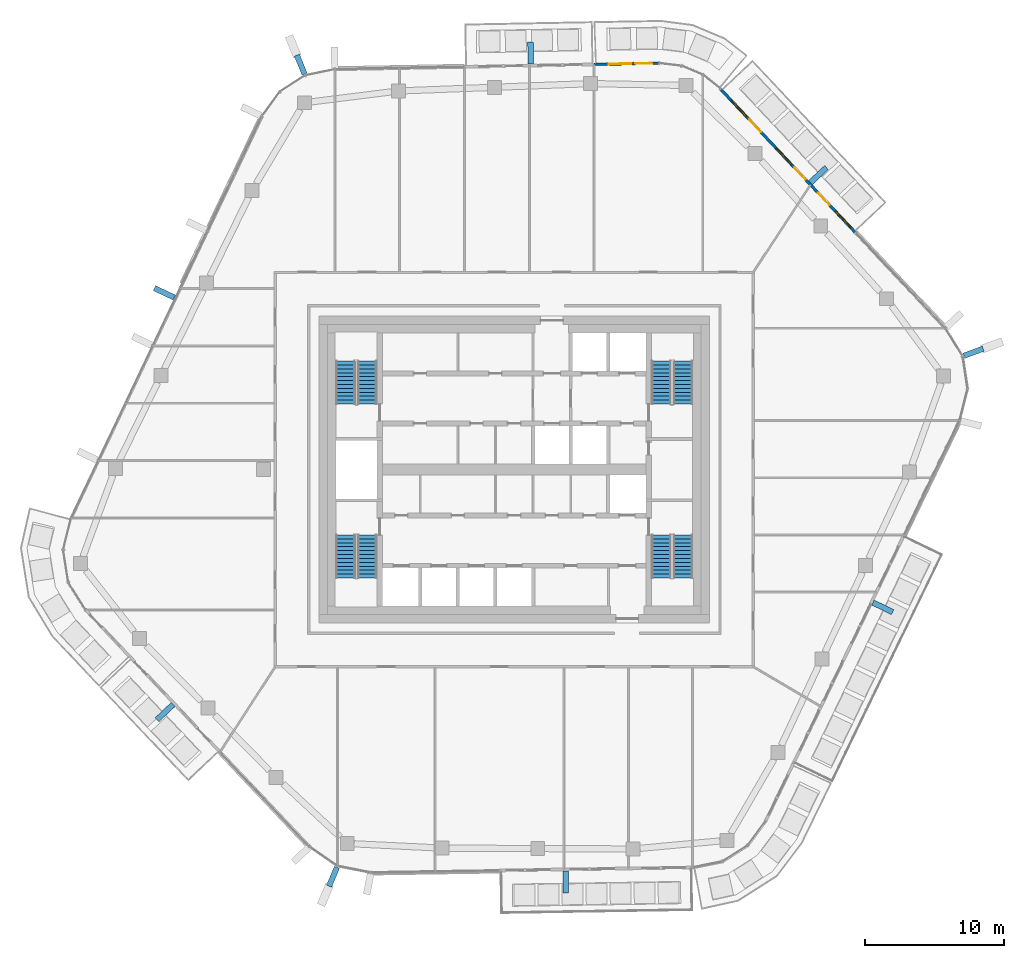
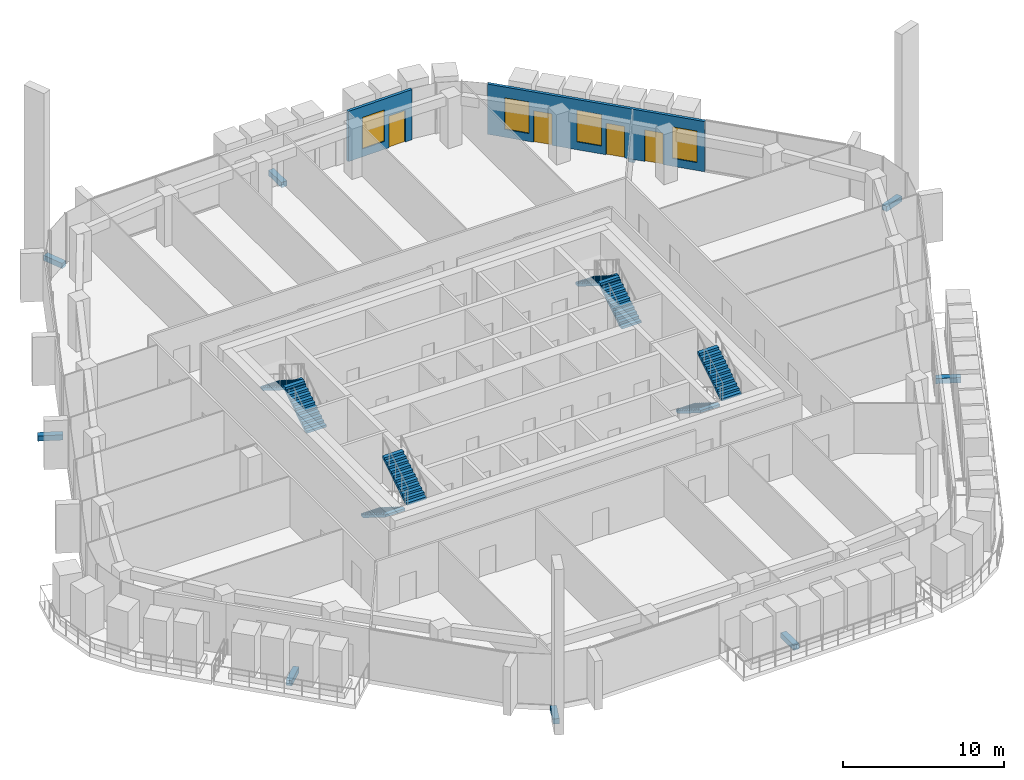
# One storey, part 17 of 24: 9 discrete accessories, 8 stair flights, 4 doors, 4 windows, 2 walls, 8 openings, 4 elements without a shape of their own.
"""IFC4 building model written with IfcOpenShell, lengths in metres."""

import ifcopenshell
import ifcopenshell.guid

model = None  # the IFC model being written
_history = None  # IfcOwnerHistory: only IFC2X3 demands one
_inside = {}  # id of a spatial element -> (the spatial element, [elements in it])
_under = {}  # id of a project, library or spatial element -> (it, [spatial elements below it])
_declared = {}  # id of a project -> (the project, [libraries it declares])
_typed = {}  # id of a type object -> (the type object, [elements of that type])
_made_of = {}  # id of a material, layer set ... -> (it, [elements and type objects made of it])


def new_model(schema):
    """Start an empty IFC model of exactly this schema.

    Asked for "IFC4X3", IfcOpenShell would pick the latest addendum, in which some entities
    have other attributes; the version numbers below select the first issue.
    IFC2X3 requires an IfcOwnerHistory on every rooted entity: one is made here for all.
    """
    global model, _history
    if schema == "IFC4X3":
        model = ifcopenshell.file(schema_version=(4, 3, 0, 0))
    else:
        model = ifcopenshell.file(schema=schema)
    _inside.clear()
    _under.clear()
    _declared.clear()
    _typed.clear()
    _made_of.clear()
    _history = None
    if model.schema == "IFC2X3":
        org = make("IfcOrganization", Name="unknown")
        user = make(
            "IfcPersonAndOrganization",
            ThePerson=make("IfcPerson", FamilyName="unknown"),
            TheOrganization=org,
        )
        app = make(
            "IfcApplication",
            ApplicationDeveloper=org,
            Version="unknown",
            ApplicationFullName="unknown",
            ApplicationIdentifier="unknown",
        )
        _history = make(
            "IfcOwnerHistory",
            OwningUser=user,
            OwningApplication=app,
            ChangeAction="ADDED",
            CreationDate=0,
        )
    return model


def make(cls, **values):
    """One entity of the class cls with the attributes given. An attribute that is None is left unset."""
    return model.create_entity(
        cls, **{name: value for name, value in values.items() if value is not None}
    )


def rooted(cls, **values):
    """An entity with a GlobalId (a new one), such as an element, a storey or a relation."""
    return make(cls, GlobalId=ifcopenshell.guid.new(), OwnerHistory=_history, **values)


def si_unit(unit_type, name, prefix=None):
    """IfcSIUnit, for example si_unit("LENGTHUNIT", "METRE", prefix="MILLI")."""
    return make("IfcSIUnit", UnitType=unit_type, Prefix=prefix, Name=name)


def assignment(units):
    """IfcUnitAssignment: the units of a project."""
    return None if units is None else make("IfcUnitAssignment", Units=units)


def point(xyz):
    """IfcCartesianPoint."""
    return None if xyz is None else make("IfcCartesianPoint", Coordinates=xyz)


def direction(xyz):
    """IfcDirection."""
    return None if xyz is None else make("IfcDirection", DirectionRatios=xyz)


def frame(location, z_axis=None, x_axis=None):
    """IfcAxis2Placement3D, a coordinate frame: its origin and axes. An axis left out is left unset."""
    return make(
        "IfcAxis2Placement3D",
        Location=point(location),
        Axis=direction(z_axis),
        RefDirection=direction(x_axis),
    )


def frame_2d(location, x_axis=None):
    """IfcAxis2Placement2D, a coordinate frame in the plane: its origin and x axis."""
    return make(
        "IfcAxis2Placement2D", Location=point(location), RefDirection=direction(x_axis)
    )


def origin():
    """The frame at (0, 0, 0) with its axes left unset."""
    return frame((0.0, 0.0, 0.0))


def origin_2d():
    """The frame at (0, 0) in the plane with its x axis left unset."""
    return frame_2d((0.0, 0.0))


def place(relative_to, where):
    """IfcLocalPlacement: puts the frame where relative to a parent placement (None: the world)."""
    return make(
        "IfcLocalPlacement", PlacementRelTo=relative_to, RelativePlacement=where
    )


def context(
    kind, dimensions, precision=None, world=None, true_north=None, identifier=None
):
    """IfcGeometricRepresentationContext, for example the 3D "Model" context."""
    return make(
        "IfcGeometricRepresentationContext",
        ContextIdentifier=identifier,
        ContextType=kind,
        CoordinateSpaceDimension=dimensions,
        Precision=precision,
        WorldCoordinateSystem=world,
        TrueNorth=true_north,
    )


def subcontext(parent, identifier, kind, view, scale=None):
    """IfcGeometricRepresentationSubContext, for example "Body" below "Model"."""
    return make(
        "IfcGeometricRepresentationSubContext",
        ContextIdentifier=identifier,
        ContextType=kind,
        ParentContext=parent,
        TargetScale=scale,
        TargetView=view,
    )


def project(units=None, contexts=None):
    """IfcProject with its units and contexts."""
    return rooted(
        "IfcProject",
        Name="project",
        RepresentationContexts=contexts,
        UnitsInContext=assignment(units),
    )


def spatial(cls, under=None, at=None, **own):
    """A site, building, storey or space (cls), placed at a placement, below another one or the project."""
    s = rooted(cls, ObjectPlacement=at, **own)
    if under is not None:
        _under.setdefault(under.id(), (under, []))[1].append(s)
    return s


def polyline(points):
    """IfcPolyline through the points."""
    return make("IfcPolyline", Points=[point(p) for p in points])


def profile(cls, at=None, kind="AREA", **sizes):
    """A parametric profile (cls). Its sizes go by their IFC names, for example OverallWidth=200.0."""
    return make(cls, ProfileType=kind, Position=at, **sizes)


def rectangle(**sizes):
    """IfcRectangleProfileDef."""
    return profile("IfcRectangleProfileDef", **sizes)


def outline(outer, holes=None, kind="AREA"):
    """IfcArbitraryClosedProfileDef: a profile drawn as a closed curve; with holes, ...WithVoids."""
    if holes is None:
        return make("IfcArbitraryClosedProfileDef", ProfileType=kind, OuterCurve=outer)
    return make(
        "IfcArbitraryProfileDefWithVoids",
        ProfileType=kind,
        OuterCurve=outer,
        InnerCurves=holes,
    )


def extrude(swept, where, along, depth):
    """IfcExtrudedAreaSolid: the profile swept, set in the frame where, extruded along a direction by depth."""
    return make(
        "IfcExtrudedAreaSolid",
        SweptArea=swept,
        Position=where,
        ExtrudedDirection=direction(along),
        Depth=depth,
    )


def shape(context_of_items, identifier, shape_type, items):
    """IfcShapeRepresentation: the items that make up one representation, for example the "Body"."""
    return make(
        "IfcShapeRepresentation",
        ContextOfItems=context_of_items,
        RepresentationIdentifier=identifier,
        RepresentationType=shape_type,
        Items=items,
    )


def material(Name=None, Category=None):
    """IfcMaterial."""
    return make("IfcMaterial", Name=Name, Category=Category)


def layer(
    of_material, thickness, ventilated=None, Name=None, Category=None, Priority=None
):
    """IfcMaterialLayer: one layer of a wall or slab, of a material (None: an air gap)."""
    return make(
        "IfcMaterialLayer",
        Material=of_material,
        LayerThickness=thickness,
        IsVentilated=ventilated,
        Name=Name,
        Category=Category,
        Priority=Priority,
    )


def layer_set(layers, Name=None):
    """IfcMaterialLayerSet."""
    return make("IfcMaterialLayerSet", MaterialLayers=layers, LayerSetName=Name)


def made_of(thing, what):
    """Note that an element or type object is made of a material, layer set ...; save() writes the relation."""
    if what is not None:
        _made_of.setdefault(what.id(), (what, []))[1].append(thing)
    return thing


def type_object(cls, material=None, **own):
    """A type object (cls), such as IfcWallType, which elements share."""
    return made_of(rooted(cls, **own), material)


def element(
    cls,
    number,
    at=None,
    inside=None,
    cuts=None,
    type_object=None,
    material=None,
    context=None,
    identifier="Body",
    shape_type=None,
    held_by="IfcProductDefinitionShape",
    body=None,
    shapes=None,
    **own,
):
    """One element of the class cls, such as IfcWall. Its Tag is "e" and its number.

    at: its placement. inside: the storey or other place that contains it. cuts: it is an
    opening in that element (IfcRelVoidsElement). A single representation is given by context,
    identifier, shape_type and body (its items); several are given by shapes. held_by: the class
    of the entity that holds the representations. save() writes the other relations.
    """
    e = rooted(cls, Tag="e%d" % number, ObjectPlacement=at, **own)
    if body is not None:
        shapes = [shape(context, identifier, shape_type, body)]
    if shapes is not None:
        e.Representation = make(held_by, Representations=shapes)
    if inside is not None:
        _inside.setdefault(inside.id(), (inside, []))[1].append(e)
    if cuts is not None:
        rooted(
            "IfcRelVoidsElement", RelatingBuildingElement=cuts, RelatedOpeningElement=e
        )
    if type_object is not None:
        _typed.setdefault(type_object.id(), (type_object, []))[1].append(e)
    return made_of(e, material)


def fill(opening, filler):
    """IfcRelFillsElement: the door or window that sits in an opening."""
    return rooted(
        "IfcRelFillsElement",
        RelatingOpeningElement=opening,
        RelatedBuildingElement=filler,
    )


def aggregate(whole, parts):
    """IfcRelAggregates: a whole, such as a stair, and the parts it consists of."""
    return rooted("IfcRelAggregates", RelatingObject=whole, RelatedObjects=parts)


def save(model, path):
    """Write the relations noted so far, then the file.

    IfcRelAggregates (storeys below a building ...), IfcRelContainedInSpatialStructure (elements
    in a storey), IfcRelDefinesByType, IfcRelAssociatesMaterial and IfcRelDeclares: one each for
    every whole, place, type object, material and project.
    """
    for whole, parts in _under.values():
        aggregate(whole, parts)
    for where, things in _inside.values():
        rooted(
            "IfcRelContainedInSpatialStructure",
            RelatedElements=things,
            RelatingStructure=where,
        )
    for kind, things in _typed.values():
        rooted("IfcRelDefinesByType", RelatedObjects=things, RelatingType=kind)
    for what, things in _made_of.values():
        rooted("IfcRelAssociatesMaterial", RelatedObjects=things, RelatingMaterial=what)
    for by, libraries in _declared.values():
        rooted("IfcRelDeclares", RelatingContext=by, RelatedDefinitions=libraries)
    model.write(path)


model = new_model("IFC4")

# Units and contexts
model_context = context("Model", 3, precision=1e-05, world=origin(), true_north=direction((0.0, 1.0)))
body_context = subcontext(model_context, "Body", "Model", "MODEL_VIEW")
ifc_project = project(units=[si_unit("LENGTHUNIT", "METRE"), si_unit("AREAUNIT", "SQUARE_METRE"), si_unit("VOLUMEUNIT", "CUBIC_METRE"), si_unit("PLANEANGLEUNIT", "RADIAN"), si_unit("MASSUNIT", "GRAM", prefix="KILO")], contexts=[model_context])

# Site, building, storey
site_placement = place(None, origin())
site = spatial("IfcSite", under=ifc_project, at=site_placement, CompositionType="ELEMENT")
building_placement = place(site_placement, origin())
building = spatial("IfcBuilding", under=site, at=building_placement, Name="Dongbaek Canopy Tower", CompositionType="ELEMENT")
storey_placement = place(building_placement, frame((0.0, 0.0, 294.199951171875)))
storey = spatial("IfcBuildingStorey", under=building, at=storey_placement, Name="L62", CompositionType="ELEMENT", Elevation=294.199951171875)

# Wall, openings, doors, windows
ifc_material_1 = material(Name="Aluminium window wall", Category="aluminium")
ifc_layer_1 = layer(ifc_material_1, 0.199951171875)
ifc_layer_set_1 = layer_set([ifc_layer_1], Name="Window wall 200")
wall_type = type_object("IfcWallType", Name="Window wall 200", PredefinedType="SOLIDWALL", material=ifc_layer_set_1)
wall_1_placement = place(storey_placement, frame((24.482421875, 17.000244140625, 0.0), z_axis=(0.0, 0.0, 1.0), x_axis=(-0.684823965592, 0.728708539919, 0.0)))
wall_1 = element("IfcWall", 1, at=wall_1_placement, inside=storey, type_object=wall_type, Name="Window wall L62 1", PredefinedType="SOLIDWALL", context=body_context, shape_type="SweptSolid", body=[
    extrude(rectangle(XDim=14.130615234375, YDim=0.199951171875, at=frame_2d((7.0654296875, 0.0))), origin(), (0.0, 0.0, 1.0), 3.820068359375),
])
opening_1_placement = place(wall_1_placement, frame((0.5, 0.0, 0.60009765625)))
opening_1 = element("IfcOpeningElement", 2, at=opening_1_placement, cuts=wall_1, Name="Opening W1", PredefinedType="OPENING", context=body_context, shape_type="SweptSolid", body=[
    extrude(rectangle(XDim=1.60009765625, YDim=2.39990234375, at=frame_2d((0.800048828125, 1.199951171875))), frame((0.0, 0.10986328125, 0.0), z_axis=(0.0, -1.0, 0.0), x_axis=(1.0, 0.0, 0.0)), (0.0, 0.0, 1.0), 0.219970703125),
])
opening_2_placement = place(wall_1_placement, frame((2.699951171875, 0.0, 0.0)))
opening_2 = element("IfcOpeningElement", 3, at=opening_2_placement, cuts=wall_1, Name="Opening L62-B01", PredefinedType="OPENING", context=body_context, shape_type="SweptSolid", body=[
    extrude(rectangle(XDim=1.199951171875, YDim=2.39990234375, at=frame_2d((0.60009765625, 1.199951171875))), frame((0.0, 0.10986328125, 0.0), z_axis=(0.0, -1.0, 0.0), x_axis=(1.0, 0.0, 0.0)), (0.0, 0.0, 1.0), 0.219970703125),
])
opening_3_placement = place(wall_1_placement, frame((6.710205078125, 0.0, 0.60009765625)))
opening_3 = element("IfcOpeningElement", 4, at=opening_3_placement, cuts=wall_1, Name="Opening W1", PredefinedType="OPENING", context=body_context, shape_type="SweptSolid", body=[
    extrude(rectangle(XDim=1.60009765625, YDim=2.39990234375, at=frame_2d((0.800048828125, 1.199951171875))), frame((0.0, 0.10986328125, 0.0), z_axis=(0.0, -1.0, 0.0), x_axis=(1.0, 0.0, 0.0)), (0.0, 0.0, 1.0), 0.219970703125),
])
opening_4_placement = place(wall_1_placement, frame((5.210205078125, 0.0, 0.0)))
opening_4 = element("IfcOpeningElement", 5, at=opening_4_placement, cuts=wall_1, Name="Opening L62-B02", PredefinedType="OPENING", context=body_context, shape_type="SweptSolid", body=[
    extrude(rectangle(XDim=1.199951171875, YDim=2.39990234375, at=frame_2d((0.60009765625, 1.199951171875))), frame((0.0, 0.10986328125, 0.0), z_axis=(0.0, -1.0, 0.0), x_axis=(1.0, 0.0, 0.0)), (0.0, 0.0, 1.0), 0.219970703125),
])
opening_5_placement = place(wall_1_placement, frame((11.42041015625, 0.0, 0.60009765625)))
opening_5 = element("IfcOpeningElement", 6, at=opening_5_placement, cuts=wall_1, Name="Opening W1", PredefinedType="OPENING", context=body_context, shape_type="SweptSolid", body=[
    extrude(rectangle(XDim=1.60009765625, YDim=2.39990234375, at=frame_2d((0.800048828125, 1.199951171875))), frame((0.0, 0.10986328125, 0.0), z_axis=(0.0, -1.0, 0.0), x_axis=(1.0, 0.0, 0.0)), (0.0, 0.0, 1.0), 0.219970703125),
])
opening_6_placement = place(wall_1_placement, frame((9.92041015625, 0.0, 0.0)))
opening_6 = element("IfcOpeningElement", 7, at=opening_6_placement, cuts=wall_1, Name="Opening L62-B03", PredefinedType="OPENING", context=body_context, shape_type="SweptSolid", body=[
    extrude(rectangle(XDim=1.199951171875, YDim=2.39990234375, at=frame_2d((0.60009765625, 1.199951171875))), frame((0.0, 0.10986328125, 0.0), z_axis=(0.0, -1.0, 0.0), x_axis=(1.0, 0.0, 0.0)), (0.0, 0.0, 1.0), 0.219970703125),
])
ifc_material_2 = material(Name="Clear glazing in aluminium frame", Category="aluminium")
door_type = type_object("IfcDoorType", Name="Balcony door BD1 1200 x 2400", OperationType="SLIDING_TO_LEFT", PredefinedType="DOOR", material=ifc_material_2)
door_1_placement = place(opening_2_placement, origin())
door_1 = element("IfcDoor", 8, at=door_1_placement, inside=storey, type_object=door_type, Name="Balcony door L62-B01", OperationType="SLIDING_TO_LEFT", OverallHeight=2.39990234375, OverallWidth=1.199951171875, PredefinedType="DOOR", context=body_context, shape_type="SweptSolid", body=[
    extrude(rectangle(XDim=1.199951171875, YDim=2.39990234375, at=frame_2d((0.60009765625, 1.199951171875))), frame((0.0, 0.02490234375, 0.0), z_axis=(0.0, -1.0, 0.0), x_axis=(1.0, 0.0, 0.0)), (0.0, 0.0, 1.0), 0.050048828125),
])
fill(opening_2, door_1)
door_2_placement = place(opening_4_placement, origin())
door_2 = element("IfcDoor", 9, at=door_2_placement, inside=storey, type_object=door_type, Name="Balcony door L62-B02", OperationType="SLIDING_TO_LEFT", OverallHeight=2.39990234375, OverallWidth=1.199951171875, PredefinedType="DOOR", context=body_context, shape_type="SweptSolid", body=[
    extrude(rectangle(XDim=1.199951171875, YDim=2.39990234375, at=frame_2d((0.60009765625, 1.199951171875))), frame((0.0, 0.02490234375, 0.0), z_axis=(0.0, -1.0, 0.0), x_axis=(1.0, 0.0, 0.0)), (0.0, 0.0, 1.0), 0.050048828125),
])
fill(opening_4, door_2)
door_3_placement = place(opening_6_placement, origin())
door_3 = element("IfcDoor", 10, at=door_3_placement, inside=storey, type_object=door_type, Name="Balcony door L62-B03", OperationType="SLIDING_TO_LEFT", OverallHeight=2.39990234375, OverallWidth=1.199951171875, PredefinedType="DOOR", context=body_context, shape_type="SweptSolid", body=[
    extrude(rectangle(XDim=1.199951171875, YDim=2.39990234375, at=frame_2d((0.60009765625, 1.199951171875))), frame((0.0, 0.02490234375, 0.0), z_axis=(0.0, -1.0, 0.0), x_axis=(1.0, 0.0, 0.0)), (0.0, 0.0, 1.0), 0.050048828125),
])
fill(opening_6, door_3)
ifc_material_3 = material(Name="Clear glazing in aluminium frame", Category="aluminium")
window_type = type_object("IfcWindowType", Name="Window W1 1600 x 2400", PartitioningType="SINGLE_PANEL", PredefinedType="WINDOW", material=ifc_material_3)
window_1_placement = place(opening_1_placement, origin())
window_1 = element("IfcWindow", 11, at=window_1_placement, inside=storey, type_object=window_type, Name="Window L62 1.1", OverallHeight=2.39990234375, OverallWidth=1.60009765625, PartitioningType="SINGLE_PANEL", PredefinedType="WINDOW", context=body_context, shape_type="SweptSolid", body=[
    extrude(rectangle(XDim=1.60009765625, YDim=2.39990234375, at=frame_2d((0.800048828125, 1.199951171875))), frame((0.0, 0.030029296875, 0.0), z_axis=(0.0, -1.0, 0.0), x_axis=(1.0, 0.0, 0.0)), (0.0, 0.0, 1.0), 0.06005859375),
])
fill(opening_1, window_1)
window_2_placement = place(opening_3_placement, origin())
window_2 = element("IfcWindow", 12, at=window_2_placement, inside=storey, type_object=window_type, Name="Window L62 1.2", OverallHeight=2.39990234375, OverallWidth=1.60009765625, PartitioningType="SINGLE_PANEL", PredefinedType="WINDOW", context=body_context, shape_type="SweptSolid", body=[
    extrude(rectangle(XDim=1.60009765625, YDim=2.39990234375, at=frame_2d((0.800048828125, 1.199951171875))), frame((0.0, 0.030029296875, 0.0), z_axis=(0.0, -1.0, 0.0), x_axis=(1.0, 0.0, 0.0)), (0.0, 0.0, 1.0), 0.06005859375),
])
fill(opening_3, window_2)
window_3_placement = place(opening_5_placement, origin())
window_3 = element("IfcWindow", 13, at=window_3_placement, inside=storey, type_object=window_type, Name="Window L62 1.3", OverallHeight=2.39990234375, OverallWidth=1.60009765625, PartitioningType="SINGLE_PANEL", PredefinedType="WINDOW", context=body_context, shape_type="SweptSolid", body=[
    extrude(rectangle(XDim=1.60009765625, YDim=2.39990234375, at=frame_2d((0.800048828125, 1.199951171875))), frame((0.0, 0.030029296875, 0.0), z_axis=(0.0, -1.0, 0.0), x_axis=(1.0, 0.0, 0.0)), (0.0, 0.0, 1.0), 0.06005859375),
])
fill(opening_5, window_3)

# Wall, openings, door, window
wall_2_placement = place(storey_placement, frame((10.3828125, 29.16064453125, 0.0), z_axis=(0.0, 0.0, 1.0), x_axis=(-0.999821262404, -0.018906169475, 0.0)))
wall_2 = element("IfcWall", 14, at=wall_2_placement, inside=storey, type_object=wall_type, Name="Window wall L62 6", PredefinedType="SOLIDWALL", context=body_context, shape_type="SweptSolid", body=[
    extrude(rectangle(XDim=4.648681640625, YDim=0.199951171875, at=frame_2d((2.32421875, 0.0))), origin(), (0.0, 0.0, 1.0), 3.820068359375),
])
opening_7_placement = place(wall_2_placement, frame((2.0, 0.0, 0.60009765625)))
opening_7 = element("IfcOpeningElement", 15, at=opening_7_placement, cuts=wall_2, Name="Opening W1", PredefinedType="OPENING", context=body_context, shape_type="SweptSolid", body=[
    extrude(rectangle(XDim=1.60009765625, YDim=2.39990234375, at=frame_2d((0.800048828125, 1.199951171875))), frame((0.0, 0.10986328125, 0.0), z_axis=(0.0, -1.0, 0.0), x_axis=(1.0, 0.0, 0.0)), (0.0, 0.0, 1.0), 0.219970703125),
])
opening_8_placement = place(wall_2_placement, frame((0.5, 0.0, 0.0)))
opening_8 = element("IfcOpeningElement", 16, at=opening_8_placement, cuts=wall_2, Name="Opening L62-B06", PredefinedType="OPENING", context=body_context, shape_type="SweptSolid", body=[
    extrude(rectangle(XDim=1.199951171875, YDim=2.39990234375, at=frame_2d((0.60009765625, 1.199951171875))), frame((0.0, 0.10986328125, 0.0), z_axis=(0.0, -1.0, 0.0), x_axis=(1.0, 0.0, 0.0)), (0.0, 0.0, 1.0), 0.219970703125),
])
door_4_placement = place(opening_8_placement, origin())
door_4 = element("IfcDoor", 17, at=door_4_placement, inside=storey, type_object=door_type, Name="Balcony door L62-B06", OperationType="SLIDING_TO_LEFT", OverallHeight=2.39990234375, OverallWidth=1.199951171875, PredefinedType="DOOR", context=body_context, shape_type="SweptSolid", body=[
    extrude(rectangle(XDim=1.199951171875, YDim=2.39990234375, at=frame_2d((0.60009765625, 1.199951171875))), frame((0.0, 0.02490234375, 0.0), z_axis=(0.0, -1.0, 0.0), x_axis=(1.0, 0.0, 0.0)), (0.0, 0.0, 1.0), 0.050048828125),
])
fill(opening_8, door_4)
window_4_placement = place(opening_7_placement, origin())
window_4 = element("IfcWindow", 18, at=window_4_placement, inside=storey, type_object=window_type, Name="Window L62 6.1", OverallHeight=2.39990234375, OverallWidth=1.60009765625, PartitioningType="SINGLE_PANEL", PredefinedType="WINDOW", context=body_context, shape_type="SweptSolid", body=[
    extrude(rectangle(XDim=1.60009765625, YDim=2.39990234375, at=frame_2d((0.800048828125, 1.199951171875))), frame((0.0, 0.030029296875, 0.0), z_axis=(0.0, -1.0, 0.0), x_axis=(1.0, 0.0, 0.0)), (0.0, 0.0, 1.0), 0.06005859375),
])
fill(opening_7, window_4)

# Stair, stair flights
ifc_material_4 = material(Name="Concrete C40/50", Category="concrete")
stair_type = type_object("IfcStairType", Name="Core exit stair", PredefinedType="HALF_TURN_STAIR", material=ifc_material_4)
stair_1_placement = place(storey_placement, origin())
stair_1 = element("IfcStair", 19, at=stair_1_placement, inside=storey, type_object=stair_type, Name="L62 exit stair A", PredefinedType="HALF_TURN_STAIR")
ifc_material_5 = material(Name="Concrete C40/50", Category="concrete")
ifc_layer_2 = layer(ifc_material_5, 0.14990234375)
ifc_layer_set_2 = layer_set([ifc_layer_2], Name="Core stair flight 150 waist")
stair_flight_type = type_object("IfcStairFlightType", Name="Core stair flight 150 waist", PredefinedType="STRAIGHT", material=ifc_layer_set_2)
stair_flight_1_placement = place(storey_placement, frame((12.10009765625, 4.699951171875, 0.0), z_axis=(0.0, 0.0, 1.0), x_axis=(0.0, 1.0, 0.0)))
stair_flight_1 = element("IfcStairFlight", 20, at=stair_flight_1_placement, type_object=stair_flight_type, Name="ST-A flight 1", NumberOfRisers=12, NumberOfTreads=11, PredefinedType="STRAIGHT", RiserHeight=0.175, TreadLength=0.28, context=body_context, shape_type="SweptSolid", body=[
    extrude(outline(polyline([(0.0, 0.0), (0.0, 0.175048828125), (0.280029296875, 0.175048828125), (0.280029296875, 0.35009765625), (0.56005859375, 0.35009765625), (0.56005859375, 0.52490234375), (0.840087890625, 0.52490234375), (0.840087890625, 0.699951171875), (1.1201171875, 0.699951171875), (1.1201171875, 0.875), (1.39990234375, 0.875), (1.39990234375, 1.050048828125), (1.679931640625, 1.050048828125), (1.679931640625, 1.22509765625), (1.9599609375, 1.22509765625), (1.9599609375, 1.39990234375), (2.239990234375, 1.39990234375), (2.239990234375, 1.574951171875), (2.52001953125, 1.574951171875), (2.52001953125, 1.75), (2.800048828125, 1.75), (2.800048828125, 1.925048828125), (3.080078125, 1.925048828125), (3.080078125, 2.10009765625), (3.080078125, 1.748291015625), (0.28271484375, 0.0), (0.0, 0.0)])), frame((0.0, 0.699951171875, 0.0), z_axis=(0.0, -1.0, 0.0), x_axis=(1.0, 0.0, 0.0)), (0.0, 0.0, 1.0), 1.39990234375),
])
stair_flight_2_placement = place(storey_placement, frame((10.550048828125, 7.780029296875, 2.10009765625), z_axis=(0.0, 0.0, 1.0), x_axis=(0.0, -1.0, 0.0)))
stair_flight_2 = element("IfcStairFlight", 21, at=stair_flight_2_placement, type_object=stair_flight_type, Name="ST-A flight 2", NumberOfRisers=12, NumberOfTreads=11, PredefinedType="STRAIGHT", RiserHeight=0.175, TreadLength=0.28, context=body_context, shape_type="SweptSolid", body=[
    extrude(outline(polyline([(0.0, 0.0), (0.0, 0.175048828125), (0.280029296875, 0.175048828125), (0.280029296875, 0.35009765625), (0.56005859375, 0.35009765625), (0.56005859375, 0.52490234375), (0.840087890625, 0.52490234375), (0.840087890625, 0.699951171875), (1.1201171875, 0.699951171875), (1.1201171875, 0.875), (1.39990234375, 0.875), (1.39990234375, 1.050048828125), (1.679931640625, 1.050048828125), (1.679931640625, 1.22509765625), (1.9599609375, 1.22509765625), (1.9599609375, 1.39990234375), (2.239990234375, 1.39990234375), (2.239990234375, 1.574951171875), (2.52001953125, 1.574951171875), (2.52001953125, 1.75), (2.800048828125, 1.75), (2.800048828125, 1.925048828125), (3.080078125, 1.925048828125), (3.080078125, 2.10009765625), (3.080078125, 1.748291015625), (0.28271484375, 0.0), (0.0, 0.0)])), frame((0.0, 0.699951171875, 0.0), z_axis=(0.0, -1.0, 0.0), x_axis=(1.0, 0.0, 0.0)), (0.0, 0.0, 1.0), 1.39990234375),
])
aggregate(stair_1, [stair_flight_1, stair_flight_2])

stair_2_placement = place(storey_placement, origin())
stair_2 = element("IfcStair", 22, at=stair_2_placement, inside=storey, type_object=stair_type, Name="L62 exit stair C", PredefinedType="HALF_TURN_STAIR")
stair_flight_3_placement = place(storey_placement, frame((-10.550048828125, 4.699951171875, 0.0), z_axis=(0.0, 0.0, 1.0), x_axis=(0.0, 1.0, 0.0)))
stair_flight_3 = element("IfcStairFlight", 23, at=stair_flight_3_placement, type_object=stair_flight_type, Name="ST-C flight 1", NumberOfRisers=12, NumberOfTreads=11, PredefinedType="STRAIGHT", RiserHeight=0.175, TreadLength=0.28, context=body_context, shape_type="SweptSolid", body=[
    extrude(outline(polyline([(0.0, 0.0), (0.0, 0.175048828125), (0.280029296875, 0.175048828125), (0.280029296875, 0.35009765625), (0.56005859375, 0.35009765625), (0.56005859375, 0.52490234375), (0.840087890625, 0.52490234375), (0.840087890625, 0.699951171875), (1.1201171875, 0.699951171875), (1.1201171875, 0.875), (1.39990234375, 0.875), (1.39990234375, 1.050048828125), (1.679931640625, 1.050048828125), (1.679931640625, 1.22509765625), (1.9599609375, 1.22509765625), (1.9599609375, 1.39990234375), (2.239990234375, 1.39990234375), (2.239990234375, 1.574951171875), (2.52001953125, 1.574951171875), (2.52001953125, 1.75), (2.800048828125, 1.75), (2.800048828125, 1.925048828125), (3.080078125, 1.925048828125), (3.080078125, 2.10009765625), (3.080078125, 1.748291015625), (0.28271484375, 0.0), (0.0, 0.0)])), frame((0.0, 0.699951171875, 0.0), z_axis=(0.0, -1.0, 0.0), x_axis=(1.0, 0.0, 0.0)), (0.0, 0.0, 1.0), 1.39990234375),
])
stair_flight_4_placement = place(storey_placement, frame((-12.10009765625, 7.780029296875, 2.10009765625), z_axis=(0.0, 0.0, 1.0), x_axis=(0.0, -1.0, 0.0)))
stair_flight_4 = element("IfcStairFlight", 24, at=stair_flight_4_placement, type_object=stair_flight_type, Name="ST-C flight 2", NumberOfRisers=12, NumberOfTreads=11, PredefinedType="STRAIGHT", RiserHeight=0.175, TreadLength=0.28, context=body_context, shape_type="SweptSolid", body=[
    extrude(outline(polyline([(0.0, 0.0), (0.0, 0.175048828125), (0.280029296875, 0.175048828125), (0.280029296875, 0.35009765625), (0.56005859375, 0.35009765625), (0.56005859375, 0.52490234375), (0.840087890625, 0.52490234375), (0.840087890625, 0.699951171875), (1.1201171875, 0.699951171875), (1.1201171875, 0.875), (1.39990234375, 0.875), (1.39990234375, 1.050048828125), (1.679931640625, 1.050048828125), (1.679931640625, 1.22509765625), (1.9599609375, 1.22509765625), (1.9599609375, 1.39990234375), (2.239990234375, 1.39990234375), (2.239990234375, 1.574951171875), (2.52001953125, 1.574951171875), (2.52001953125, 1.75), (2.800048828125, 1.75), (2.800048828125, 1.925048828125), (3.080078125, 1.925048828125), (3.080078125, 2.10009765625), (3.080078125, 1.748291015625), (0.28271484375, 0.0), (0.0, 0.0)])), frame((0.0, 0.699951171875, 0.0), z_axis=(0.0, -1.0, 0.0), x_axis=(1.0, 0.0, 0.0)), (0.0, 0.0, 1.0), 1.39990234375),
])
aggregate(stair_2, [stair_flight_3, stair_flight_4])

stair_3_placement = place(storey_placement, origin())
stair_3 = element("IfcStair", 25, at=stair_3_placement, inside=storey, type_object=stair_type, Name="L62 exit stair B", PredefinedType="HALF_TURN_STAIR")
stair_flight_5_placement = place(storey_placement, frame((10.550048828125, -4.699951171875, 0.0), z_axis=(0.0, 0.0, 1.0), x_axis=(0.0, -1.0, 0.0)))
stair_flight_5 = element("IfcStairFlight", 26, at=stair_flight_5_placement, type_object=stair_flight_type, Name="ST-B flight 1", NumberOfRisers=12, NumberOfTreads=11, PredefinedType="STRAIGHT", RiserHeight=0.175, TreadLength=0.28, context=body_context, shape_type="SweptSolid", body=[
    extrude(outline(polyline([(0.0, 0.0), (0.0, 0.175048828125), (0.280029296875, 0.175048828125), (0.280029296875, 0.35009765625), (0.56005859375, 0.35009765625), (0.56005859375, 0.52490234375), (0.840087890625, 0.52490234375), (0.840087890625, 0.699951171875), (1.1201171875, 0.699951171875), (1.1201171875, 0.875), (1.39990234375, 0.875), (1.39990234375, 1.050048828125), (1.679931640625, 1.050048828125), (1.679931640625, 1.22509765625), (1.9599609375, 1.22509765625), (1.9599609375, 1.39990234375), (2.239990234375, 1.39990234375), (2.239990234375, 1.574951171875), (2.52001953125, 1.574951171875), (2.52001953125, 1.75), (2.800048828125, 1.75), (2.800048828125, 1.925048828125), (3.080078125, 1.925048828125), (3.080078125, 2.10009765625), (3.080078125, 1.748291015625), (0.28271484375, 0.0), (0.0, 0.0)])), frame((0.0, 0.699951171875, 0.0), z_axis=(0.0, -1.0, 0.0), x_axis=(1.0, 0.0, 0.0)), (0.0, 0.0, 1.0), 1.39990234375),
])
stair_flight_6_placement = place(storey_placement, frame((12.10009765625, -7.780029296875, 2.10009765625), z_axis=(0.0, 0.0, 1.0), x_axis=(0.0, 1.0, 0.0)))
stair_flight_6 = element("IfcStairFlight", 27, at=stair_flight_6_placement, type_object=stair_flight_type, Name="ST-B flight 2", NumberOfRisers=12, NumberOfTreads=11, PredefinedType="STRAIGHT", RiserHeight=0.175, TreadLength=0.28, context=body_context, shape_type="SweptSolid", body=[
    extrude(outline(polyline([(0.0, 0.0), (0.0, 0.175048828125), (0.280029296875, 0.175048828125), (0.280029296875, 0.35009765625), (0.56005859375, 0.35009765625), (0.56005859375, 0.52490234375), (0.840087890625, 0.52490234375), (0.840087890625, 0.699951171875), (1.1201171875, 0.699951171875), (1.1201171875, 0.875), (1.39990234375, 0.875), (1.39990234375, 1.050048828125), (1.679931640625, 1.050048828125), (1.679931640625, 1.22509765625), (1.9599609375, 1.22509765625), (1.9599609375, 1.39990234375), (2.239990234375, 1.39990234375), (2.239990234375, 1.574951171875), (2.52001953125, 1.574951171875), (2.52001953125, 1.75), (2.800048828125, 1.75), (2.800048828125, 1.925048828125), (3.080078125, 1.925048828125), (3.080078125, 2.10009765625), (3.080078125, 1.748291015625), (0.28271484375, 0.0), (0.0, 0.0)])), frame((0.0, 0.699951171875, 0.0), z_axis=(0.0, -1.0, 0.0), x_axis=(1.0, 0.0, 0.0)), (0.0, 0.0, 1.0), 1.39990234375),
])
aggregate(stair_3, [stair_flight_5, stair_flight_6])

stair_4_placement = place(storey_placement, origin())
stair_4 = element("IfcStair", 28, at=stair_4_placement, inside=storey, type_object=stair_type, Name="L62 exit stair D", PredefinedType="HALF_TURN_STAIR")
stair_flight_7_placement = place(storey_placement, frame((-12.10009765625, -4.699951171875, 0.0), z_axis=(0.0, 0.0, 1.0), x_axis=(0.0, -1.0, 0.0)))
stair_flight_7 = element("IfcStairFlight", 29, at=stair_flight_7_placement, type_object=stair_flight_type, Name="ST-D flight 1", NumberOfRisers=12, NumberOfTreads=11, PredefinedType="STRAIGHT", RiserHeight=0.175, TreadLength=0.28, context=body_context, shape_type="SweptSolid", body=[
    extrude(outline(polyline([(0.0, 0.0), (0.0, 0.175048828125), (0.280029296875, 0.175048828125), (0.280029296875, 0.35009765625), (0.56005859375, 0.35009765625), (0.56005859375, 0.52490234375), (0.840087890625, 0.52490234375), (0.840087890625, 0.699951171875), (1.1201171875, 0.699951171875), (1.1201171875, 0.875), (1.39990234375, 0.875), (1.39990234375, 1.050048828125), (1.679931640625, 1.050048828125), (1.679931640625, 1.22509765625), (1.9599609375, 1.22509765625), (1.9599609375, 1.39990234375), (2.239990234375, 1.39990234375), (2.239990234375, 1.574951171875), (2.52001953125, 1.574951171875), (2.52001953125, 1.75), (2.800048828125, 1.75), (2.800048828125, 1.925048828125), (3.080078125, 1.925048828125), (3.080078125, 2.10009765625), (3.080078125, 1.748291015625), (0.28271484375, 0.0), (0.0, 0.0)])), frame((0.0, 0.699951171875, 0.0), z_axis=(0.0, -1.0, 0.0), x_axis=(1.0, 0.0, 0.0)), (0.0, 0.0, 1.0), 1.39990234375),
])
stair_flight_8_placement = place(storey_placement, frame((-10.550048828125, -7.780029296875, 2.10009765625), z_axis=(0.0, 0.0, 1.0), x_axis=(0.0, 1.0, 0.0)))
stair_flight_8 = element("IfcStairFlight", 30, at=stair_flight_8_placement, type_object=stair_flight_type, Name="ST-D flight 2", NumberOfRisers=12, NumberOfTreads=11, PredefinedType="STRAIGHT", RiserHeight=0.175, TreadLength=0.28, context=body_context, shape_type="SweptSolid", body=[
    extrude(outline(polyline([(0.0, 0.0), (0.0, 0.175048828125), (0.280029296875, 0.175048828125), (0.280029296875, 0.35009765625), (0.56005859375, 0.35009765625), (0.56005859375, 0.52490234375), (0.840087890625, 0.52490234375), (0.840087890625, 0.699951171875), (1.1201171875, 0.699951171875), (1.1201171875, 0.875), (1.39990234375, 0.875), (1.39990234375, 1.050048828125), (1.679931640625, 1.050048828125), (1.679931640625, 1.22509765625), (1.9599609375, 1.22509765625), (1.9599609375, 1.39990234375), (2.239990234375, 1.39990234375), (2.239990234375, 1.574951171875), (2.52001953125, 1.574951171875), (2.52001953125, 1.75), (2.800048828125, 1.75), (2.800048828125, 1.925048828125), (3.080078125, 1.925048828125), (3.080078125, 2.10009765625), (3.080078125, 1.748291015625), (0.28271484375, 0.0), (0.0, 0.0)])), frame((0.0, 0.699951171875, 0.0), z_axis=(0.0, -1.0, 0.0), x_axis=(1.0, 0.0, 0.0)), (0.0, 0.0, 1.0), 1.39990234375),
])
aggregate(stair_4, [stair_flight_7, stair_flight_8])

# Discrete accessories
ifc_material_6 = material(Name="Galvanised steel S355 bracket", Category="steel")
discrete_accessory_type = type_object("IfcDiscreteAccessoryType", Name="Crease fin bracket BR3 400", PredefinedType="BRACKET", material=ifc_material_6)
discrete_accessory_1_placement = place(storey_placement, frame((26.44189453125, -9.88671875, -0.389892578125), z_axis=(0.0, 0.0, 1.0), x_axis=(0.900013181955, -0.435862675975, 0.0)))
element("IfcDiscreteAccessory", 31, at=discrete_accessory_1_placement, inside=storey, type_object=discrete_accessory_type, Name="Crease fin bracket L62 F5", PredefinedType="BRACKET", context=body_context, shape_type="SweptSolid", body=[
    extrude(rectangle(XDim=1.576904296875, YDim=0.39990234375, at=origin_2d()), origin(), (0.0, 0.0, 1.0), 0.39990234375),
])
discrete_accessory_2_placement = place(storey_placement, frame((21.827880859375, 21.128173828125, -0.389892578125), z_axis=(0.0, 0.0, 1.0), x_axis=(0.728702140715, 0.684830774803, 0.0)))
element("IfcDiscreteAccessory", 32, at=discrete_accessory_2_placement, inside=storey, type_object=discrete_accessory_type, Name="Crease fin bracket L62 F0", PredefinedType="BRACKET", context=body_context, shape_type="SweptSolid", body=[
    extrude(rectangle(XDim=1.584716796875, YDim=0.39990234375, at=origin_2d()), origin(), (0.0, 0.0, 1.0), 0.39990234375),
])
discrete_accessory_3_placement = place(storey_placement, frame((1.176513671875, 29.880859375, -0.389892578125), z_axis=(0.0, 0.0, 1.0), x_axis=(-0.0189042803, 0.999821298126, 0.0)))
element("IfcDiscreteAccessory", 33, at=discrete_accessory_3_placement, inside=storey, type_object=discrete_accessory_type, Name="Crease fin bracket L62 F1", PredefinedType="BRACKET", context=body_context, shape_type="SweptSolid", body=[
    extrude(rectangle(XDim=1.588134765625, YDim=0.39990234375, at=origin_2d()), origin(), (0.0, 0.0, 1.0), 0.39990234375),
])
discrete_accessory_4_placement = place(storey_placement, frame((-25.10986328125, 12.68017578125, -0.389892578125), z_axis=(0.0, 0.0, 1.0), x_axis=(-0.903236449331, 0.42914323553, 0.0)))
element("IfcDiscreteAccessory", 34, at=discrete_accessory_4_placement, inside=storey, type_object=discrete_accessory_type, Name="Crease fin bracket L62 F2", PredefinedType="BRACKET", context=body_context, shape_type="SweptSolid", body=[
    extrude(rectangle(XDim=1.581298828125, YDim=0.39990234375, at=origin_2d()), origin(), (0.0, 0.0, 1.0), 0.39990234375),
])
discrete_accessory_5_placement = place(storey_placement, frame((-25.0556640625, -17.406982421875, -0.389892578125), z_axis=(0.0, 0.0, 1.0), x_axis=(-0.726355181425, -0.687319540255, 0.0)))
element("IfcDiscreteAccessory", 35, at=discrete_accessory_5_placement, inside=storey, type_object=discrete_accessory_type, Name="Crease fin bracket L62 F3", PredefinedType="BRACKET", context=body_context, shape_type="SweptSolid", body=[
    extrude(rectangle(XDim=1.59716796875, YDim=0.39990234375, at=origin_2d()), origin(), (0.0, 0.0, 1.0), 0.39990234375),
])
discrete_accessory_6_placement = place(storey_placement, frame((3.6953125, -29.59033203125, -0.389892578125), z_axis=(0.0, 0.0, 1.0), x_axis=(0.015684630827, -0.999876988612, 0.0)))
element("IfcDiscreteAccessory", 36, at=discrete_accessory_6_placement, inside=storey, type_object=discrete_accessory_type, Name="Crease fin bracket L62 F4", PredefinedType="BRACKET", context=body_context, shape_type="SweptSolid", body=[
    extrude(rectangle(XDim=1.59521484375, YDim=0.39990234375, at=origin_2d()), origin(), (0.0, 0.0, 1.0), 0.39990234375),
])
for number, where, z_axis, x_axis, name in (
    (37, (32.95849609375, 8.41748046875, -0.389892578125), (0.0, 0.0, 1.0), (0.938484585253, 0.345321130606, 0.0), "Corner fin bracket L62 K0"),
    (38, (-15.323486328125, 29.05517578125, -0.389892578125), (0.0, 0.0, 1.0), (-0.378666386385, 0.925533234315, 0.0), "Corner fin bracket L62 K2"),
    (39, (-13.005615234375, -29.219970703125, -0.389892578125), (0.0, 0.0, 1.0), (-0.388183200954, -0.921582227746, 0.0), "Corner fin bracket L62 K4"),
):
    element("IfcDiscreteAccessory", number, at=place(storey_placement, frame(where, z_axis=z_axis, x_axis=x_axis)), inside=storey, type_object=discrete_accessory_type, Name=name, PredefinedType="BRACKET", context=body_context, shape_type="SweptSolid", body=[
        extrude(rectangle(XDim=1.469970703125, YDim=0.39990234375, at=origin_2d()), origin(), (0.0, 0.0, 1.0), 0.39990234375),
    ])

save(model, "model.ifc")
